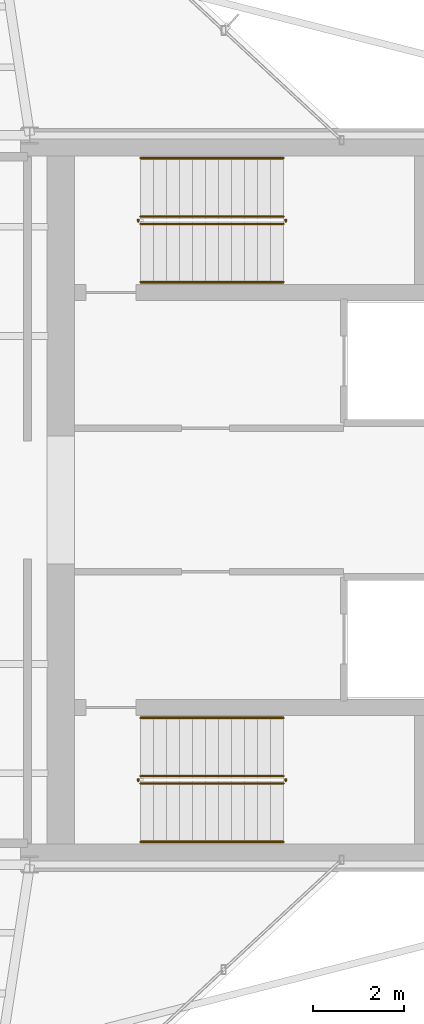
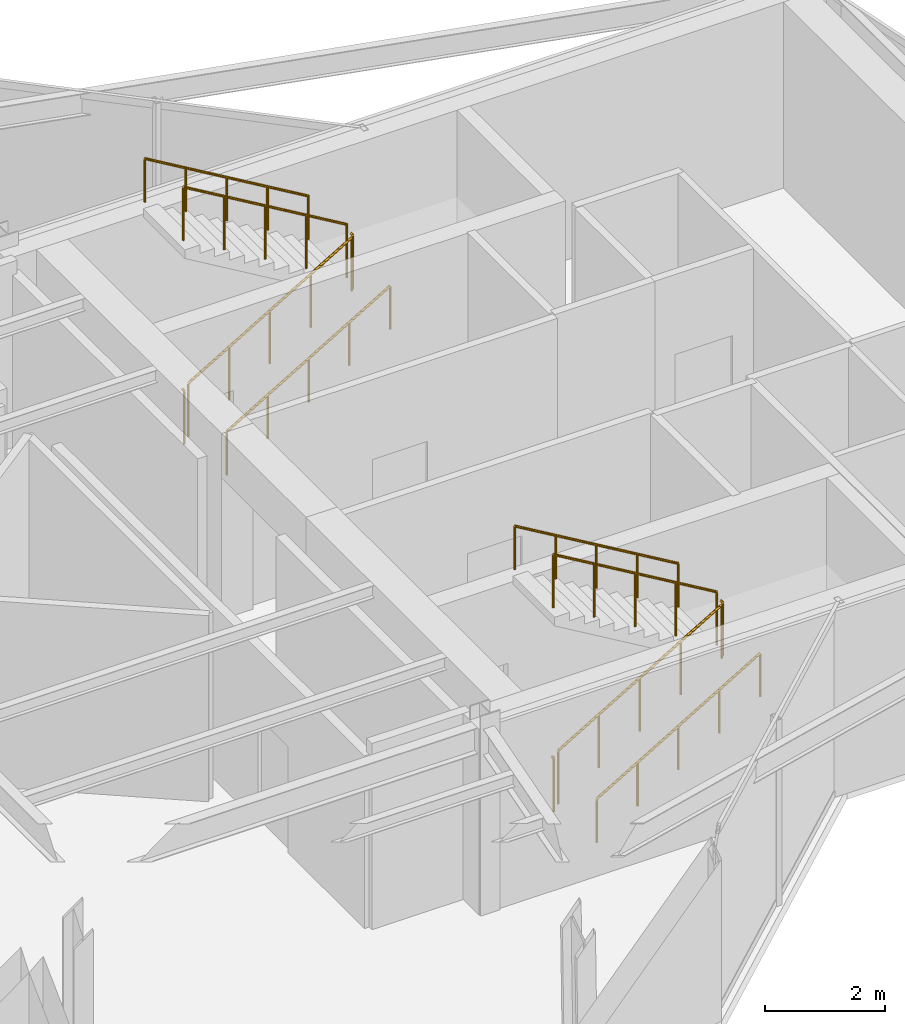
# One storey, part 11 of 11: 12 railings.
"""IFC4 building model written with IfcOpenShell, lengths in metres."""

import ifcopenshell
import ifcopenshell.guid

model = None  # the IFC model being written
_history = None  # IfcOwnerHistory: only IFC2X3 demands one
_inside = {}  # id of a spatial element -> (the spatial element, [elements in it])
_under = {}  # id of a project, library or spatial element -> (it, [spatial elements below it])
_declared = {}  # id of a project -> (the project, [libraries it declares])
_typed = {}  # id of a type object -> (the type object, [elements of that type])
_made_of = {}  # id of a material, layer set ... -> (it, [elements and type objects made of it])


def new_model(schema):
    """Start an empty IFC model of exactly this schema.

    Asked for "IFC4X3", IfcOpenShell would pick the latest addendum, in which some entities
    have other attributes; the version numbers below select the first issue.
    IFC2X3 requires an IfcOwnerHistory on every rooted entity: one is made here for all.
    """
    global model, _history
    if schema == "IFC4X3":
        model = ifcopenshell.file(schema_version=(4, 3, 0, 0))
    else:
        model = ifcopenshell.file(schema=schema)
    _inside.clear()
    _under.clear()
    _declared.clear()
    _typed.clear()
    _made_of.clear()
    _history = None
    if model.schema == "IFC2X3":
        org = make("IfcOrganization", Name="unknown")
        user = make(
            "IfcPersonAndOrganization",
            ThePerson=make("IfcPerson", FamilyName="unknown"),
            TheOrganization=org,
        )
        app = make(
            "IfcApplication",
            ApplicationDeveloper=org,
            Version="unknown",
            ApplicationFullName="unknown",
            ApplicationIdentifier="unknown",
        )
        _history = make(
            "IfcOwnerHistory",
            OwningUser=user,
            OwningApplication=app,
            ChangeAction="ADDED",
            CreationDate=0,
        )
    return model


def make(cls, **values):
    """One entity of the class cls with the attributes given. An attribute that is None is left unset."""
    return model.create_entity(
        cls, **{name: value for name, value in values.items() if value is not None}
    )


def rooted(cls, **values):
    """An entity with a GlobalId (a new one), such as an element, a storey or a relation."""
    return make(cls, GlobalId=ifcopenshell.guid.new(), OwnerHistory=_history, **values)


def si_unit(unit_type, name, prefix=None):
    """IfcSIUnit, for example si_unit("LENGTHUNIT", "METRE", prefix="MILLI")."""
    return make("IfcSIUnit", UnitType=unit_type, Prefix=prefix, Name=name)


def assignment(units):
    """IfcUnitAssignment: the units of a project."""
    return None if units is None else make("IfcUnitAssignment", Units=units)


def point(xyz):
    """IfcCartesianPoint."""
    return None if xyz is None else make("IfcCartesianPoint", Coordinates=xyz)


def direction(xyz):
    """IfcDirection."""
    return None if xyz is None else make("IfcDirection", DirectionRatios=xyz)


def frame(location, z_axis=None, x_axis=None):
    """IfcAxis2Placement3D, a coordinate frame: its origin and axes. An axis left out is left unset."""
    return make(
        "IfcAxis2Placement3D",
        Location=point(location),
        Axis=direction(z_axis),
        RefDirection=direction(x_axis),
    )


def frame_2d(location, x_axis=None):
    """IfcAxis2Placement2D, a coordinate frame in the plane: its origin and x axis."""
    return make(
        "IfcAxis2Placement2D", Location=point(location), RefDirection=direction(x_axis)
    )


def origin():
    """The frame at (0, 0, 0) with its axes left unset."""
    return frame((0.0, 0.0, 0.0))


def origin_2d():
    """The frame at (0, 0) in the plane with its x axis left unset."""
    return frame_2d((0.0, 0.0))


def place(relative_to, where):
    """IfcLocalPlacement: puts the frame where relative to a parent placement (None: the world)."""
    return make(
        "IfcLocalPlacement", PlacementRelTo=relative_to, RelativePlacement=where
    )


def context(
    kind, dimensions, precision=None, world=None, true_north=None, identifier=None
):
    """IfcGeometricRepresentationContext, for example the 3D "Model" context."""
    return make(
        "IfcGeometricRepresentationContext",
        ContextIdentifier=identifier,
        ContextType=kind,
        CoordinateSpaceDimension=dimensions,
        Precision=precision,
        WorldCoordinateSystem=world,
        TrueNorth=true_north,
    )


def subcontext(parent, identifier, kind, view, scale=None):
    """IfcGeometricRepresentationSubContext, for example "Body" below "Model"."""
    return make(
        "IfcGeometricRepresentationSubContext",
        ContextIdentifier=identifier,
        ContextType=kind,
        ParentContext=parent,
        TargetScale=scale,
        TargetView=view,
    )


def project(units=None, contexts=None):
    """IfcProject with its units and contexts."""
    return rooted(
        "IfcProject",
        Name="project",
        RepresentationContexts=contexts,
        UnitsInContext=assignment(units),
    )


def spatial(cls, under=None, at=None, **own):
    """A site, building, storey or space (cls), placed at a placement, below another one or the project."""
    s = rooted(cls, ObjectPlacement=at, **own)
    if under is not None:
        _under.setdefault(under.id(), (under, []))[1].append(s)
    return s


def profile(cls, at=None, kind="AREA", **sizes):
    """A parametric profile (cls). Its sizes go by their IFC names, for example OverallWidth=200.0."""
    return make(cls, ProfileType=kind, Position=at, **sizes)


def circle(**sizes):
    """IfcCircleProfileDef."""
    return profile("IfcCircleProfileDef", **sizes)


def extrude(swept, where, along, depth):
    """IfcExtrudedAreaSolid: the profile swept, set in the frame where, extruded along a direction by depth."""
    return make(
        "IfcExtrudedAreaSolid",
        SweptArea=swept,
        Position=where,
        ExtrudedDirection=direction(along),
        Depth=depth,
    )


def shape(context_of_items, identifier, shape_type, items):
    """IfcShapeRepresentation: the items that make up one representation, for example the "Body"."""
    return make(
        "IfcShapeRepresentation",
        ContextOfItems=context_of_items,
        RepresentationIdentifier=identifier,
        RepresentationType=shape_type,
        Items=items,
    )


def material(Name=None, Category=None):
    """IfcMaterial."""
    return make("IfcMaterial", Name=Name, Category=Category)


def made_of(thing, what):
    """Note that an element or type object is made of a material, layer set ...; save() writes the relation."""
    if what is not None:
        _made_of.setdefault(what.id(), (what, []))[1].append(thing)
    return thing


def type_object(cls, material=None, **own):
    """A type object (cls), such as IfcWallType, which elements share."""
    return made_of(rooted(cls, **own), material)


def element(
    cls,
    number,
    at=None,
    inside=None,
    cuts=None,
    type_object=None,
    material=None,
    context=None,
    identifier="Body",
    shape_type=None,
    held_by="IfcProductDefinitionShape",
    body=None,
    shapes=None,
    **own,
):
    """One element of the class cls, such as IfcWall. Its Tag is "e" and its number.

    at: its placement. inside: the storey or other place that contains it. cuts: it is an
    opening in that element (IfcRelVoidsElement). A single representation is given by context,
    identifier, shape_type and body (its items); several are given by shapes. held_by: the class
    of the entity that holds the representations. save() writes the other relations.
    """
    e = rooted(cls, Tag="e%d" % number, ObjectPlacement=at, **own)
    if body is not None:
        shapes = [shape(context, identifier, shape_type, body)]
    if shapes is not None:
        e.Representation = make(held_by, Representations=shapes)
    if inside is not None:
        _inside.setdefault(inside.id(), (inside, []))[1].append(e)
    if cuts is not None:
        rooted(
            "IfcRelVoidsElement", RelatingBuildingElement=cuts, RelatedOpeningElement=e
        )
    if type_object is not None:
        _typed.setdefault(type_object.id(), (type_object, []))[1].append(e)
    return made_of(e, material)


def aggregate(whole, parts):
    """IfcRelAggregates: a whole, such as a stair, and the parts it consists of."""
    return rooted("IfcRelAggregates", RelatingObject=whole, RelatedObjects=parts)


def save(model, path):
    """Write the relations noted so far, then the file.

    IfcRelAggregates (storeys below a building ...), IfcRelContainedInSpatialStructure (elements
    in a storey), IfcRelDefinesByType, IfcRelAssociatesMaterial and IfcRelDeclares: one each for
    every whole, place, type object, material and project.
    """
    for whole, parts in _under.values():
        aggregate(whole, parts)
    for where, things in _inside.values():
        rooted(
            "IfcRelContainedInSpatialStructure",
            RelatedElements=things,
            RelatingStructure=where,
        )
    for kind, things in _typed.values():
        rooted("IfcRelDefinesByType", RelatedObjects=things, RelatingType=kind)
    for what, things in _made_of.values():
        rooted("IfcRelAssociatesMaterial", RelatedObjects=things, RelatingMaterial=what)
    for by, libraries in _declared.values():
        rooted("IfcRelDeclares", RelatingContext=by, RelatedDefinitions=libraries)
    model.write(path)


model = new_model("IFC4")

# Units and contexts
model_context = context("Model", 3, precision=1e-05, world=origin(), true_north=direction((0.0, 1.0)))
body_context = subcontext(model_context, "Body", "Model", "MODEL_VIEW")
ifc_project = project(units=[si_unit("LENGTHUNIT", "METRE"), si_unit("AREAUNIT", "SQUARE_METRE"), si_unit("VOLUMEUNIT", "CUBIC_METRE"), si_unit("PLANEANGLEUNIT", "RADIAN"), si_unit("MASSUNIT", "GRAM", prefix="KILO")], contexts=[model_context])

# Site, building, storey
site_placement = place(None, origin())
site = spatial("IfcSite", under=ifc_project, at=site_placement, CompositionType="ELEMENT")
building_placement = place(site_placement, origin())
building = spatial("IfcBuilding", under=site, at=building_placement, Name="Veymaron Broadcast Tower", CompositionType="ELEMENT")
storey_placement = place(building_placement, frame((0.0, 0.0, 323.550048828125)))
storey = spatial("IfcBuildingStorey", under=building, at=storey_placement, Name="L76", CompositionType="ELEMENT", Elevation=323.550048828125)

# Railings
ifc_material_1 = material(Name="Brushed stainless steel AISI 304", Category="steel")
railing_type_1 = type_object("IfcRailingType", Name="RAIL-STAIR-HR", PredefinedType="HANDRAIL", material=ifc_material_1)
railing_1_placement = place(storey_placement, frame((41.429931640625, 28.780029296875, 0.168701171875)))
element("IfcRailing", 1, at=railing_1_placement, inside=storey, type_object=railing_type_1, Name="L76 ST1 stair handrail 1", PredefinedType="HANDRAIL", context=body_context, shape_type="SweptSolid", body=[
    extrude(circle(Radius=0.02392578125, at=origin_2d()), frame((0.0, 0.0, 0.8759765625), z_axis=(0.860481960309, 0.0, 0.509480908359), x_axis=(0.0, 1.0, 0.0)), (0.0, 0.0, 1.0), 3.643310546875),
    extrude(circle(Radius=0.02099609375, at=origin_2d()), origin(), (0.0, 0.0, 1.0), 0.851806640625),
    extrude(circle(Radius=0.02099609375, at=origin_2d()), frame((0.78369140625, 0.0, 0.464111328125)), (0.0, 0.0, 1.0), 0.851806640625),
    extrude(circle(Radius=0.02099609375, at=origin_2d()), frame((1.5673828125, 0.0, 0.92822265625)), (0.0, 0.0, 1.0), 0.851806640625),
    extrude(circle(Radius=0.02099609375, at=origin_2d()), frame((2.351318359375, 0.0, 1.39208984375)), (0.0, 0.0, 1.0), 0.851806640625),
    extrude(circle(Radius=0.02099609375, at=origin_2d()), frame((3.135009765625, 0.0, 1.856201171875)), (0.0, 0.0, 1.0), 0.851806640625),
])
railing_2_placement = place(storey_placement, frame((44.56494140625, 31.5, 2.193603515625)))
element("IfcRailing", 2, at=railing_2_placement, inside=storey, type_object=railing_type_1, Name="L76 ST1 stair handrail 2", PredefinedType="HANDRAIL", context=body_context, shape_type="SweptSolid", body=[
    extrude(circle(Radius=0.02392578125, at=origin_2d()), frame((0.0, 0.0, 0.8759765625), z_axis=(-0.860452582533, 0.0, 0.509530522356), x_axis=(0.0, -1.0, 0.0)), (0.0, 0.0, 1.0), 3.6435546875),
    extrude(circle(Radius=0.02099609375, at=origin_2d()), origin(), (0.0, 0.0, 1.0), 0.851806640625),
    extrude(circle(Radius=0.02099609375, at=origin_2d()), frame((-0.78369140625, 0.0, 0.464111328125)), (0.0, 0.0, 1.0), 0.851806640625),
    extrude(circle(Radius=0.02099609375, at=origin_2d()), frame((-1.5673828125, 0.0, 0.92822265625)), (0.0, 0.0, 1.0), 0.851806640625),
    extrude(circle(Radius=0.02099609375, at=origin_2d()), frame((-2.351318359375, 0.0, 1.392333984375)), (0.0, 0.0, 1.0), 0.851806640625),
    extrude(circle(Radius=0.02099609375, at=origin_2d()), frame((-3.135009765625, 0.0, 1.8564453125)), (0.0, 0.0, 1.0), 0.851806640625),
])
railing_3_placement = place(storey_placement, frame((41.429931640625, 16.5, 0.168701171875)))
element("IfcRailing", 3, at=railing_3_placement, inside=storey, type_object=railing_type_1, Name="L76 ST2 stair handrail 1", PredefinedType="HANDRAIL", context=body_context, shape_type="SweptSolid", body=[
    extrude(circle(Radius=0.02392578125, at=origin_2d()), frame((0.0, 0.0, 0.8759765625), z_axis=(0.860481960309, 0.0, 0.509480908359), x_axis=(0.0, 1.0, 0.0)), (0.0, 0.0, 1.0), 3.643310546875),
    extrude(circle(Radius=0.02099609375, at=origin_2d()), origin(), (0.0, 0.0, 1.0), 0.851806640625),
    extrude(circle(Radius=0.02099609375, at=origin_2d()), frame((0.78369140625, 0.0, 0.464111328125)), (0.0, 0.0, 1.0), 0.851806640625),
    extrude(circle(Radius=0.02099609375, at=origin_2d()), frame((1.5673828125, 0.0, 0.92822265625)), (0.0, 0.0, 1.0), 0.851806640625),
    extrude(circle(Radius=0.02099609375, at=origin_2d()), frame((2.351318359375, 0.0, 1.39208984375)), (0.0, 0.0, 1.0), 0.851806640625),
    extrude(circle(Radius=0.02099609375, at=origin_2d()), frame((3.135009765625, 0.0, 1.856201171875)), (0.0, 0.0, 1.0), 0.851806640625),
])
railing_4_placement = place(storey_placement, frame((44.56494140625, 19.219970703125, 2.193603515625)))
element("IfcRailing", 4, at=railing_4_placement, inside=storey, type_object=railing_type_1, Name="L76 ST2 stair handrail 2", PredefinedType="HANDRAIL", context=body_context, shape_type="SweptSolid", body=[
    extrude(circle(Radius=0.02392578125, at=origin_2d()), frame((0.0, 0.0, 0.8759765625), z_axis=(-0.860452582533, 0.0, 0.509530522356), x_axis=(0.0, -1.0, 0.0)), (0.0, 0.0, 1.0), 3.6435546875),
    extrude(circle(Radius=0.02099609375, at=origin_2d()), origin(), (0.0, 0.0, 1.0), 0.851806640625),
    extrude(circle(Radius=0.02099609375, at=origin_2d()), frame((-0.78369140625, 0.0, 0.464111328125)), (0.0, 0.0, 1.0), 0.851806640625),
    extrude(circle(Radius=0.02099609375, at=origin_2d()), frame((-1.5673828125, 0.0, 0.92822265625)), (0.0, 0.0, 1.0), 0.851806640625),
    extrude(circle(Radius=0.02099609375, at=origin_2d()), frame((-2.351318359375, 0.0, 1.392333984375)), (0.0, 0.0, 1.0), 0.851806640625),
    extrude(circle(Radius=0.02099609375, at=origin_2d()), frame((-3.135009765625, 0.0, 1.8564453125)), (0.0, 0.0, 1.0), 0.851806640625),
])
ifc_material_2 = material(Name="Painted galvanized steel balustrade", Category="steel")
railing_type_2 = type_object("IfcRailingType", Name="RAIL-WELL-GRD", PredefinedType="GUARDRAIL", material=ifc_material_2)
railing_5_placement = place(storey_placement, frame((41.429931640625, 30.06005859375, 0.168701171875)))
element("IfcRailing", 5, at=railing_5_placement, inside=storey, type_object=railing_type_2, Name="L76 ST1 stair guard 1", PredefinedType="GUARDRAIL", context=body_context, shape_type="SweptSolid", body=[
    extrude(circle(Radius=0.02392578125, at=origin_2d()), frame((0.0, 0.0, 1.076171875), z_axis=(0.860481960309, 0.0, 0.509480908359), x_axis=(0.0, 1.0, 0.0)), (0.0, 0.0, 1.0), 3.643310546875),
    extrude(circle(Radius=0.02099609375, at=origin_2d()), origin(), (0.0, 0.0, 1.0), 1.052001953125),
    extrude(circle(Radius=0.02099609375, at=origin_2d()), frame((0.78369140625, 0.0, 0.464111328125)), (0.0, 0.0, 1.0), 1.052001953125),
    extrude(circle(Radius=0.02099609375, at=origin_2d()), frame((1.5673828125, 0.0, 0.92822265625)), (0.0, 0.0, 1.0), 1.052001953125),
    extrude(circle(Radius=0.02099609375, at=origin_2d()), frame((2.351318359375, 0.0, 1.39208984375)), (0.0, 0.0, 1.0), 1.052001953125),
    extrude(circle(Radius=0.02099609375, at=origin_2d()), frame((3.135009765625, 0.0, 1.856201171875)), (0.0, 0.0, 1.0), 1.052001953125),
])
railing_6_placement = place(storey_placement, frame((44.614990234375, 30.110107421875, 2.02490234375)))
element("IfcRailing", 6, at=railing_6_placement, inside=storey, type_object=railing_type_2, Name="L76 ST1 stair guard 2", PredefinedType="GUARDRAIL", context=body_context, shape_type="SweptSolid", body=[
    extrude(circle(Radius=0.02392578125, at=origin_2d()), frame((0.0, 0.0, 1.076171875), z_axis=(0.0, 1.0, 0.0), x_axis=(-1.0, 0.0, 0.0)), (0.0, 0.0, 1.0), 0.059814453125),
    extrude(circle(Radius=0.02099609375, at=origin_2d()), origin(), (0.0, 0.0, 1.0), 1.052001953125),
])
railing_7_placement = place(storey_placement, frame((44.56494140625, 30.219970703125, 2.193603515625)))
element("IfcRailing", 7, at=railing_7_placement, inside=storey, type_object=railing_type_2, Name="L76 ST1 stair guard 3", PredefinedType="GUARDRAIL", context=body_context, shape_type="SweptSolid", body=[
    extrude(circle(Radius=0.02392578125, at=origin_2d()), frame((0.0, 0.0, 1.076171875), z_axis=(-0.860452582533, 0.0, 0.509530522356), x_axis=(0.0, -1.0, 0.0)), (0.0, 0.0, 1.0), 3.6435546875),
    extrude(circle(Radius=0.02099609375, at=origin_2d()), origin(), (0.0, 0.0, 1.0), 1.052001953125),
    extrude(circle(Radius=0.02099609375, at=origin_2d()), frame((-0.78369140625, 0.0, 0.464111328125)), (0.0, 0.0, 1.0), 1.052001953125),
    extrude(circle(Radius=0.02099609375, at=origin_2d()), frame((-1.5673828125, 0.0, 0.92822265625)), (0.0, 0.0, 1.0), 1.052001953125),
    extrude(circle(Radius=0.02099609375, at=origin_2d()), frame((-2.351318359375, 0.0, 1.392333984375)), (0.0, 0.0, 1.0), 1.052001953125),
    extrude(circle(Radius=0.02099609375, at=origin_2d()), frame((-3.135009765625, 0.0, 1.8564453125)), (0.0, 0.0, 1.0), 1.052001953125),
])
railing_8_placement = place(storey_placement, frame((41.3798828125, 30.110107421875, 0.0)))
element("IfcRailing", 8, at=railing_8_placement, inside=storey, type_object=railing_type_2, Name="L76 ST1 stair guard 4", PredefinedType="GUARDRAIL", context=body_context, shape_type="SweptSolid", body=[
    extrude(circle(Radius=0.02392578125, at=origin_2d()), frame((0.0, 0.0, 1.076171875), z_axis=(0.0, 1.0, 0.0), x_axis=(-1.0, 0.0, 0.0)), (0.0, 0.0, 1.0), 0.059814453125),
    extrude(circle(Radius=0.02099609375, at=origin_2d()), origin(), (0.0, 0.0, 1.0), 1.052001953125),
])
railing_9_placement = place(storey_placement, frame((41.429931640625, 17.780029296875, 0.168701171875)))
element("IfcRailing", 9, at=railing_9_placement, inside=storey, type_object=railing_type_2, Name="L76 ST2 stair guard 1", PredefinedType="GUARDRAIL", context=body_context, shape_type="SweptSolid", body=[
    extrude(circle(Radius=0.02392578125, at=origin_2d()), frame((0.0, 0.0, 1.076171875), z_axis=(0.860481960309, 0.0, 0.509480908359), x_axis=(0.0, 1.0, 0.0)), (0.0, 0.0, 1.0), 3.643310546875),
    extrude(circle(Radius=0.02099609375, at=origin_2d()), origin(), (0.0, 0.0, 1.0), 1.052001953125),
    extrude(circle(Radius=0.02099609375, at=origin_2d()), frame((0.78369140625, 0.0, 0.464111328125)), (0.0, 0.0, 1.0), 1.052001953125),
    extrude(circle(Radius=0.02099609375, at=origin_2d()), frame((1.5673828125, 0.0, 0.92822265625)), (0.0, 0.0, 1.0), 1.052001953125),
    extrude(circle(Radius=0.02099609375, at=origin_2d()), frame((2.351318359375, 0.0, 1.39208984375)), (0.0, 0.0, 1.0), 1.052001953125),
    extrude(circle(Radius=0.02099609375, at=origin_2d()), frame((3.135009765625, 0.0, 1.856201171875)), (0.0, 0.0, 1.0), 1.052001953125),
])
railing_10_placement = place(storey_placement, frame((44.614990234375, 17.830078125, 2.02490234375)))
element("IfcRailing", 10, at=railing_10_placement, inside=storey, type_object=railing_type_2, Name="L76 ST2 stair guard 2", PredefinedType="GUARDRAIL", context=body_context, shape_type="SweptSolid", body=[
    extrude(circle(Radius=0.02392578125, at=origin_2d()), frame((0.0, 0.0, 1.076171875), z_axis=(0.0, 1.0, 0.0), x_axis=(-1.0, 0.0, 0.0)), (0.0, 0.0, 1.0), 0.059814453125),
    extrude(circle(Radius=0.02099609375, at=origin_2d()), origin(), (0.0, 0.0, 1.0), 1.052001953125),
])
railing_11_placement = place(storey_placement, frame((44.56494140625, 17.93994140625, 2.193603515625)))
element("IfcRailing", 11, at=railing_11_placement, inside=storey, type_object=railing_type_2, Name="L76 ST2 stair guard 3", PredefinedType="GUARDRAIL", context=body_context, shape_type="SweptSolid", body=[
    extrude(circle(Radius=0.02392578125, at=origin_2d()), frame((0.0, 0.0, 1.076171875), z_axis=(-0.860452582533, 0.0, 0.509530522356), x_axis=(0.0, -1.0, 0.0)), (0.0, 0.0, 1.0), 3.6435546875),
    extrude(circle(Radius=0.02099609375, at=origin_2d()), origin(), (0.0, 0.0, 1.0), 1.052001953125),
    extrude(circle(Radius=0.02099609375, at=origin_2d()), frame((-0.78369140625, 0.0, 0.464111328125)), (0.0, 0.0, 1.0), 1.052001953125),
    extrude(circle(Radius=0.02099609375, at=origin_2d()), frame((-1.5673828125, 0.0, 0.92822265625)), (0.0, 0.0, 1.0), 1.052001953125),
    extrude(circle(Radius=0.02099609375, at=origin_2d()), frame((-2.351318359375, 0.0, 1.392333984375)), (0.0, 0.0, 1.0), 1.052001953125),
    extrude(circle(Radius=0.02099609375, at=origin_2d()), frame((-3.135009765625, 0.0, 1.8564453125)), (0.0, 0.0, 1.0), 1.052001953125),
])
railing_12_placement = place(storey_placement, frame((41.3798828125, 17.830078125, 0.0)))
element("IfcRailing", 12, at=railing_12_placement, inside=storey, type_object=railing_type_2, Name="L76 ST2 stair guard 4", PredefinedType="GUARDRAIL", context=body_context, shape_type="SweptSolid", body=[
    extrude(circle(Radius=0.02392578125, at=origin_2d()), frame((0.0, 0.0, 1.076171875), z_axis=(0.0, 1.0, 0.0), x_axis=(-1.0, 0.0, 0.0)), (0.0, 0.0, 1.0), 0.059814453125),
    extrude(circle(Radius=0.02099609375, at=origin_2d()), origin(), (0.0, 0.0, 1.0), 1.052001953125),
])

save(model, "model.ifc")
